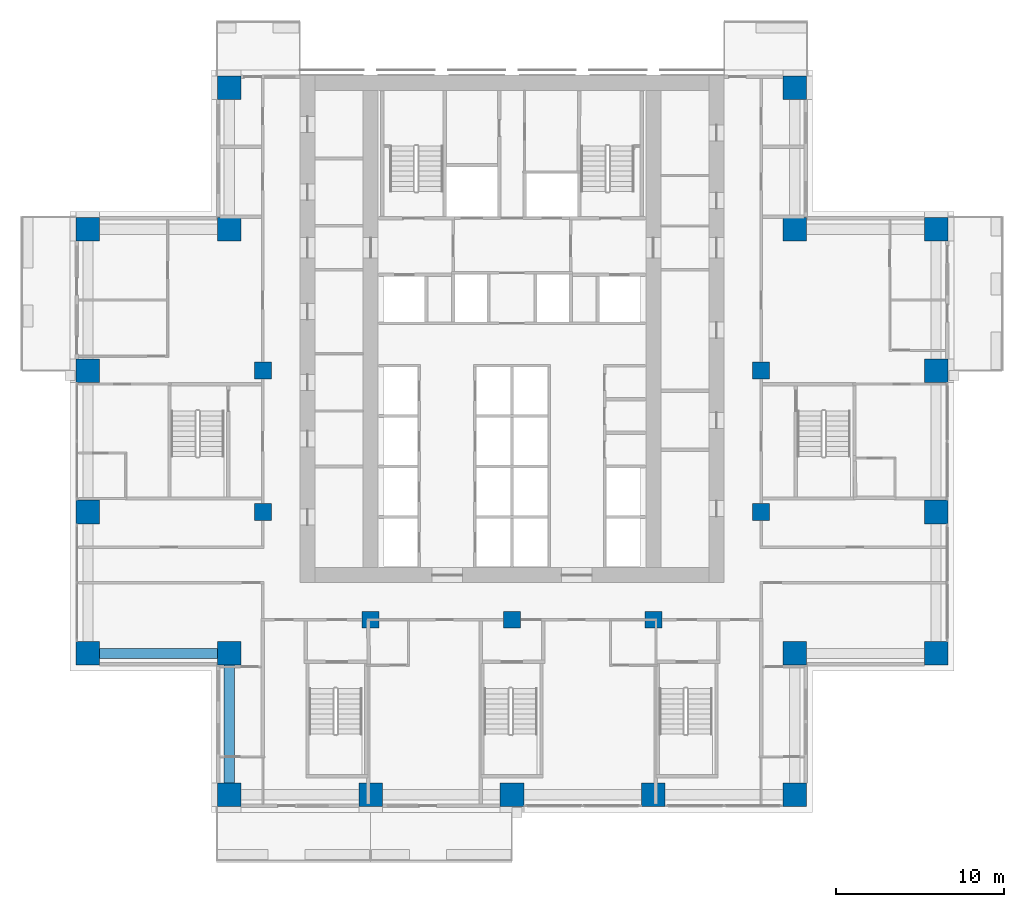
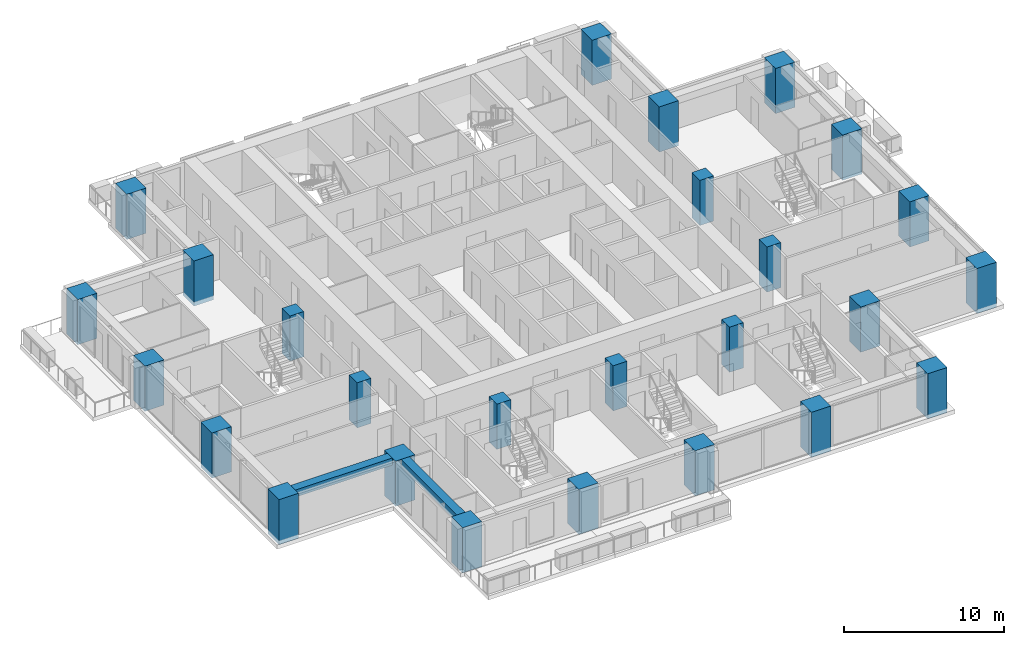
# One storey, part 1 of 16: 26 columns, 2 beams.
"""IFC4 building model written with IfcOpenShell, lengths in metres."""

from ifc_helpers import new_model, si_unit, direction, frame, origin, origin_2d, place, context, subcontext, project, spatial, rectangle, extrude, material, material_profile, profile_set, type_object, element, save


model = new_model("IFC4")

# Units and contexts
model_context = context("Model", 3, precision=1e-05, world=origin(), true_north=direction((0.0, 1.0)))
body_context = subcontext(model_context, "Body", "Model", "MODEL_VIEW")
ifc_project = project(units=[si_unit("LENGTHUNIT", "METRE"), si_unit("AREAUNIT", "SQUARE_METRE"), si_unit("VOLUMEUNIT", "CUBIC_METRE"), si_unit("PLANEANGLEUNIT", "RADIAN"), si_unit("MASSUNIT", "GRAM", prefix="KILO")], contexts=[model_context])

# Site, building, storey
site_placement = place(None, origin())
site = spatial("IfcSite", under=ifc_project, at=site_placement, CompositionType="ELEMENT")
building_placement = place(site_placement, origin())
building = spatial("IfcBuilding", under=site, at=building_placement, Name="Vermilion Ogive Tower", CompositionType="ELEMENT")
storey_placement = place(building_placement, frame((0.0, 0.0, 44.85009765625)))
storey = spatial("IfcBuildingStorey", under=building, at=storey_placement, Name="L09", CompositionType="ELEMENT", Elevation=44.85009765625)

# Columns
ifc_material_1 = material(Name="Concrete B80", Category="concrete")
ifc_material_profile_1 = material_profile(ifc_material_1, rectangle(XDim=1.39990234375, YDim=1.39990234375, at=origin_2d()), Name="1400 x 1400")
ifc_profile_set_1 = profile_set([ifc_material_profile_1], Name="Concrete B80")
column_type_1 = type_object("IfcColumnType", Name="Perimeter column 1400 x 1400 B80", PredefinedType="COLUMN", material=ifc_profile_set_1)
for number, where, z_axis, x_axis, name in (
    (1, (-16.800048828125, -21.0, -0.320068359375), (0.0, 0.0, 1.0), (1.0, 0.0, 0.0), "COL-L09-P-0168-210"),
    (2, (-8.39990234375, -21.0, -0.320068359375), (0.0, 0.0, 1.0), (1.0, 0.0, 0.0), "COL-L09-P-0084-210"),
    (3, (0.0, -21.0, -0.320068359375), (0.0, 0.0, 1.0), (1.0, 0.0, 0.0), "COL-L09-P+0000-210"),
    (4, (8.39990234375, -21.0, -0.320068359375), (0.0, 0.0, 1.0), (1.0, 0.0, 0.0), "COL-L09-P+0084-210"),
    (5, (16.800048828125, -21.0, -0.320068359375), (0.0, 0.0, 1.0), (1.0, 0.0, 0.0), "COL-L09-P+0168-210"),
    (6, (-25.199951171875, -12.60009765625, -0.320068359375), (0.0, 0.0, 1.0), (1.0, 0.0, 0.0), "COL-L09-P-0252-126"),
    (7, (-16.800048828125, -12.60009765625, -0.320068359375), (0.0, 0.0, 1.0), (1.0, 0.0, 0.0), "COL-L09-P-0168-126"),
    (8, (16.800048828125, -12.60009765625, -0.320068359375), (0.0, 0.0, 1.0), (1.0, 0.0, 0.0), "COL-L09-P+0168-126"),
    (9, (25.199951171875, -12.60009765625, -0.320068359375), (0.0, 0.0, 1.0), (1.0, 0.0, 0.0), "COL-L09-P+0252-126"),
    (10, (-25.199951171875, -4.199951171875, -0.320068359375), (0.0, 0.0, 1.0), (1.0, 0.0, 0.0), "COL-L09-P-0252-042"),
    (11, (25.199951171875, -4.199951171875, -0.320068359375), (0.0, 0.0, 1.0), (1.0, 0.0, 0.0), "COL-L09-P+0252-042"),
    (12, (-25.199951171875, 4.199951171875, -0.320068359375), (0.0, 0.0, 1.0), (1.0, 0.0, 0.0), "COL-L09-P-0252+042"),
    (13, (25.199951171875, 4.199951171875, -0.320068359375), (0.0, 0.0, 1.0), (1.0, 0.0, 0.0), "COL-L09-P+0252+042"),
    (14, (-25.199951171875, 12.60009765625, -0.320068359375), (0.0, 0.0, 1.0), (1.0, 0.0, 0.0), "COL-L09-P-0252+126"),
    (15, (-16.800048828125, 12.60009765625, -0.320068359375), (0.0, 0.0, 1.0), (1.0, 0.0, 0.0), "COL-L09-P-0168+126"),
    (16, (16.800048828125, 12.60009765625, -0.320068359375), (0.0, 0.0, 1.0), (1.0, 0.0, 0.0), "COL-L09-P+0168+126"),
    (17, (25.199951171875, 12.60009765625, -0.320068359375), (0.0, 0.0, 1.0), (1.0, 0.0, 0.0), "COL-L09-P+0252+126"),
    (18, (-16.800048828125, 21.0, -0.320068359375), (0.0, 0.0, 1.0), (1.0, 0.0, 0.0), "COL-L09-P-0168+210"),
    (19, (16.800048828125, 21.0, -0.320068359375), (0.0, 0.0, 1.0), (1.0, 0.0, 0.0), "COL-L09-P+0168+210"),
):
    element("IfcColumn", number, at=place(storey_placement, frame(where, z_axis=z_axis, x_axis=x_axis)), inside=storey, type_object=column_type_1, Name=name, PredefinedType="COLUMN", context=body_context, shape_type="SweptSolid", body=[
        extrude(rectangle(XDim=1.39990234375, YDim=1.39990234375, at=origin_2d()), origin(), (0.0, 0.0, 1.0), 3.449951171875),
    ])
ifc_material_2 = material(Name="Concrete B80", Category="concrete")
ifc_material_profile_2 = material_profile(ifc_material_2, rectangle(XDim=1.0, YDim=1.0, at=origin_2d()), Name="1000 x 1000")
ifc_profile_set_2 = profile_set([ifc_material_profile_2], Name="Concrete B80")
column_type_2 = type_object("IfcColumnType", Name="Ring column 1000 x 1000 B80", PredefinedType="COLUMN", material=ifc_profile_set_2)
for number, where, z_axis, x_axis, name in (
    (20, (-8.39990234375, -10.60009765625, -0.320068359375), (0.0, 0.0, 1.0), (1.0, 0.0, 0.0), "COL-L09-R-0084-106"),
    (21, (0.0, -10.60009765625, -0.320068359375), (0.0, 0.0, 1.0), (1.0, 0.0, 0.0), "COL-L09-R+0000-106"),
    (22, (8.39990234375, -10.60009765625, -0.320068359375), (0.0, 0.0, 1.0), (1.0, 0.0, 0.0), "COL-L09-R+0084-106"),
    (23, (-14.800048828125, -4.199951171875, -0.320068359375), (0.0, 0.0, 1.0), (1.0, 0.0, 0.0), "COL-L09-R-0148-042"),
    (24, (14.800048828125, -4.199951171875, -0.320068359375), (0.0, 0.0, 1.0), (1.0, 0.0, 0.0), "COL-L09-R+0148-042"),
    (25, (-14.800048828125, 4.199951171875, -0.320068359375), (0.0, 0.0, 1.0), (1.0, 0.0, 0.0), "COL-L09-R-0148+042"),
    (26, (14.800048828125, 4.199951171875, -0.320068359375), (0.0, 0.0, 1.0), (1.0, 0.0, 0.0), "COL-L09-R+0148+042"),
):
    element("IfcColumn", number, at=place(storey_placement, frame(where, z_axis=z_axis, x_axis=x_axis)), inside=storey, type_object=column_type_2, Name=name, PredefinedType="COLUMN", context=body_context, shape_type="SweptSolid", body=[
        extrude(rectangle(XDim=1.0, YDim=1.0, at=origin_2d()), origin(), (0.0, 0.0, 1.0), 3.449951171875),
    ])

# Beams
ifc_material_3 = material(Name="Concrete B45", Category="concrete")
ifc_material_profile_3 = material_profile(ifc_material_3, rectangle(XDim=0.60009765625, YDim=0.550048828125, at=origin_2d()), Name="600 x 550")
ifc_profile_set_3 = profile_set([ifc_material_profile_3], Name="Concrete B45")
beam_type = type_object("IfcBeamType", Name="Edge beam 600 x 550 B45", PredefinedType="BEAM", material=ifc_profile_set_3)
for number, where, z_axis, x_axis, name in (
    (27, (-24.5, -12.60009765625, 2.85498046875), (1.0, 0.0, 0.0), (0.0, 1.0, 0.0), "L09-EB-17"),
    (28, (-16.800048828125, -13.300048828125, 2.85498046875), (0.0, -1.0, 0.0), (1.0, 0.0, 0.0), "L09-EB-18"),
):
    element("IfcBeam", number, at=place(storey_placement, frame(where, z_axis=z_axis, x_axis=x_axis)), inside=storey, type_object=beam_type, Name=name, PredefinedType="BEAM", context=body_context, shape_type="SweptSolid", body=[
        extrude(rectangle(XDim=0.60009765625, YDim=0.550048828125, at=origin_2d()), origin(), (0.0, 0.0, 1.0), 7.0),
    ])

save(model, "model.ifc")
